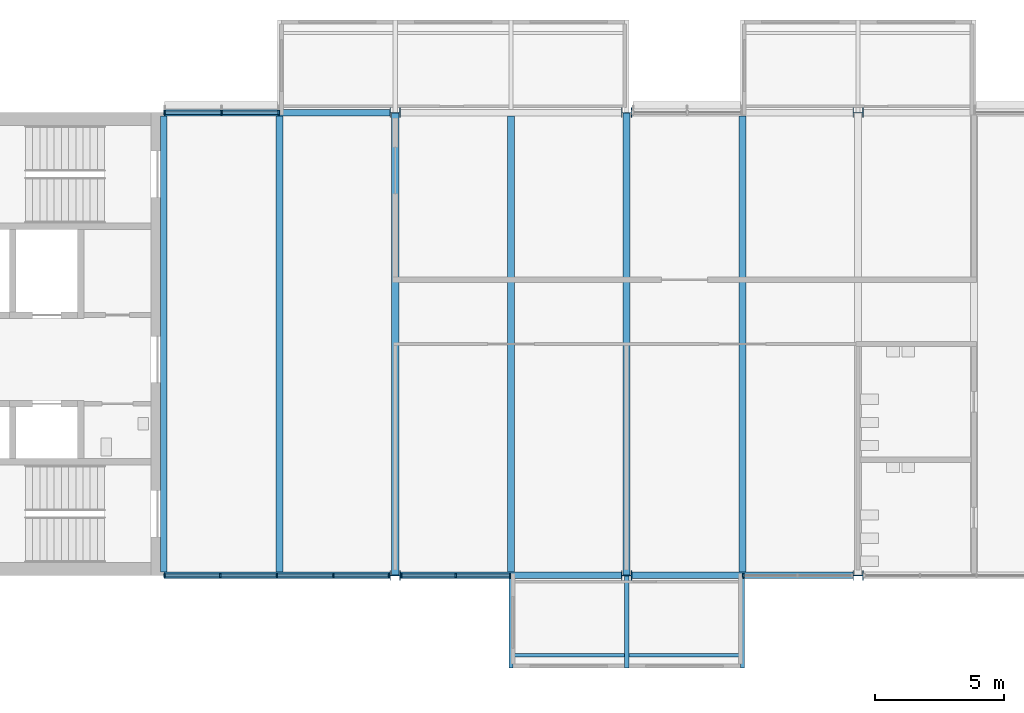
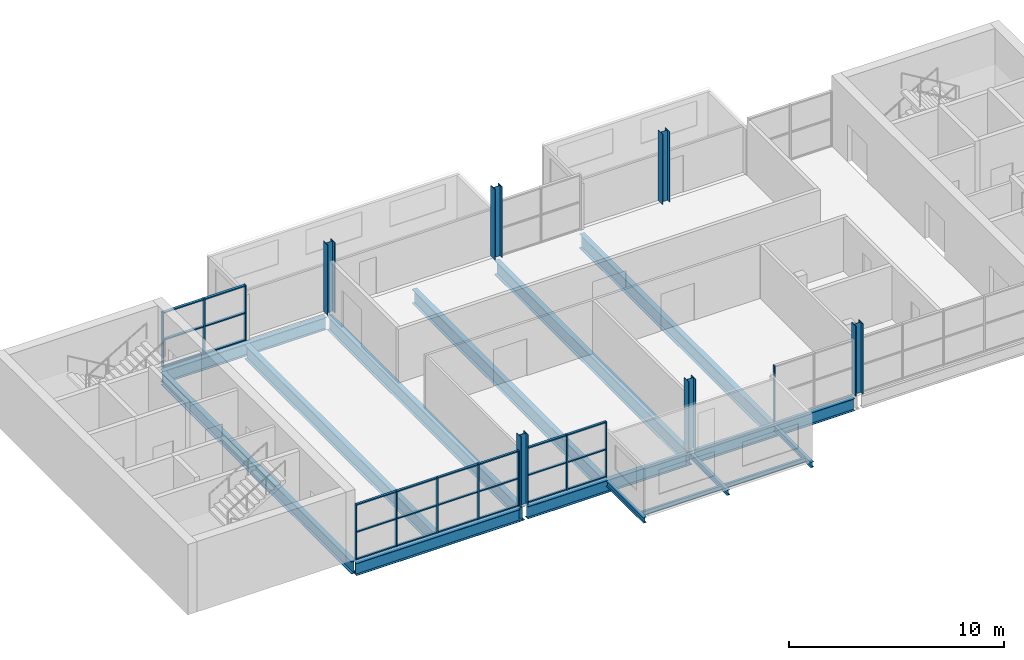
# One storey, part 1 of 10: 36 members, 15 beams, 6 columns, 4 elements without a shape of their own.
"""IFC4 building model written with IfcOpenShell, lengths in metres."""

from ifc_helpers import new_model, si_unit, direction, frame, origin, origin_2d, place, context, subcontext, project, spatial, rectangle, i_section, extrude, material, layer, layer_set, material_profile, profile_set, type_object, element, aggregate, save


model = new_model("IFC4")

# Units and contexts
model_context = context("Model", 3, precision=1e-05, world=origin(), true_north=direction((0.0, 1.0)))
body_context = subcontext(model_context, "Body", "Model", "MODEL_VIEW")
ifc_project = project(units=[si_unit("LENGTHUNIT", "METRE"), si_unit("AREAUNIT", "SQUARE_METRE"), si_unit("VOLUMEUNIT", "CUBIC_METRE"), si_unit("PLANEANGLEUNIT", "RADIAN"), si_unit("MASSUNIT", "GRAM", prefix="KILO")], contexts=[model_context])

# Site, building, storey
site_placement = place(None, origin())
site = spatial("IfcSite", under=ifc_project, at=site_placement, CompositionType="ELEMENT")
building_placement = place(site_placement, origin())
building = spatial("IfcBuilding", under=site, at=building_placement, Name="Corbel Yard City Hall", CompositionType="ELEMENT")
storey_placement = place(building_placement, frame((0.0, 0.0, 47.199951171875)))
storey = spatial("IfcBuildingStorey", under=building, at=storey_placement, Name="L11", CompositionType="ELEMENT", Elevation=47.199951171875)

# Columns
ifc_material_1 = material(Name="Steel Grade 350", Category="steel")
ifc_material_profile_1 = material_profile(ifc_material_1, i_section(OverallWidth=0.39990234375, OverallDepth=0.4140625, WebThickness=0.02490234375, FlangeThickness=0.031982421875, at=origin_2d()), Name="400WC270")
ifc_profile_set_1 = profile_set([ifc_material_profile_1], Name="Steel Grade 350")
column_type = type_object("IfcColumnType", Name="Column 400WC270", PredefinedType="COLUMN", material=ifc_profile_set_1)
for number, where, z_axis, x_axis, name in (
    (1, (18.0, 99.0, 0.0), (0.0, 0.0, 1.0), (0.0, 1.0, 0.0), "Column 400WC270 L/3 L11"),
    (2, (18.0, 117.0, 0.0), (0.0, 0.0, 1.0), (0.0, 1.0, 0.0), "Column 400WC270 N/3 L11"),
    (3, (27.0, 99.0, 0.0), (0.0, 0.0, 1.0), (0.0, 1.0, 0.0), "Column 400WC270 L/4 L11"),
    (4, (27.0, 117.0, 0.0), (0.0, 0.0, 1.0), (0.0, 1.0, 0.0), "Column 400WC270 N/4 L11"),
    (5, (36.0, 99.0, 0.0), (0.0, 0.0, 1.0), (0.0, 1.0, 0.0), "Column 400WC270 L/5 L11"),
    (6, (36.0, 117.0, 0.0), (0.0, 0.0, 1.0), (0.0, 1.0, 0.0), "Column 400WC270 N/5 L11"),
):
    element("IfcColumn", number, at=place(storey_placement, frame(where, z_axis=z_axis, x_axis=x_axis)), inside=storey, type_object=column_type, Name=name, PredefinedType="COLUMN", context=body_context, shape_type="SweptSolid", body=[
        extrude(i_section(OverallWidth=0.39990234375, OverallDepth=0.4140625, WebThickness=0.02490234375, FlangeThickness=0.031982421875, at=origin_2d()), origin(), (0.0, 0.0, 1.0), 4.0),
    ])

# Beams
ifc_material_profile_2 = material_profile(ifc_material_1, i_section(OverallWidth=0.25, OverallDepth=0.699951171875, WebThickness=0.010009765625, FlangeThickness=0.02001953125, at=origin_2d()), Name="700WB130")
ifc_profile_set_2 = profile_set([ifc_material_profile_2], Name="Steel Grade 350")
beam_type_1 = type_object("IfcBeamType", Name="Edge beam 700WB130", PredefinedType="BEAM", material=ifc_profile_set_2)
beam_1_placement = place(storey_placement, frame((9.0, 99.0, -0.5), z_axis=(1.0, 0.0, 0.0), x_axis=(0.0, 1.0, 0.0)))
element("IfcBeam", 7, at=beam_1_placement, inside=storey, type_object=beam_type_1, Name="Edge beam 700WB130 EB9 L11tower", PredefinedType="BEAM", context=body_context, shape_type="SweptSolid", body=[
    extrude(i_section(OverallWidth=0.25, OverallDepth=0.699951171875, WebThickness=0.010009765625, FlangeThickness=0.02001953125, at=origin_2d()), origin(), (0.0, 0.0, 1.0), 8.79296875),
])
for number, where, z_axis, x_axis, name in (
    (8, (18.20703125, 99.0, -0.5), (1.0, 0.0, 0.0), (0.0, 1.0, 0.0), "Edge beam 700WB130 EB9 L11tower"),
    (9, (27.20703125, 99.0, -0.5), (1.0, 0.0, 0.0), (0.0, 1.0, 0.0), "Edge beam 700WB130 EB9 L11tower"),
):
    element("IfcBeam", number, at=place(storey_placement, frame(where, z_axis=z_axis, x_axis=x_axis)), inside=storey, type_object=beam_type_1, Name=name, PredefinedType="BEAM", context=body_context, shape_type="SweptSolid", body=[
        extrude(i_section(OverallWidth=0.25, OverallDepth=0.699951171875, WebThickness=0.010009765625, FlangeThickness=0.02001953125, at=origin_2d()), origin(), (0.0, 0.0, 1.0), 8.5859375),
    ])
beam_2_placement = place(storey_placement, frame((9.0, 117.0, -0.5), z_axis=(1.0, 0.0, 0.0), x_axis=(0.0, 1.0, 0.0)))
element("IfcBeam", 10, at=beam_2_placement, inside=storey, type_object=beam_type_1, Name="Edge beam 700WB130 EB9 L11tower", PredefinedType="BEAM", context=body_context, shape_type="SweptSolid", body=[
    extrude(i_section(OverallWidth=0.25, OverallDepth=0.699951171875, WebThickness=0.010009765625, FlangeThickness=0.02001953125, at=origin_2d()), origin(), (0.0, 0.0, 1.0), 8.79296875),
])
ifc_material_profile_3 = material_profile(ifc_material_1, i_section(OverallWidth=0.27490234375, OverallDepth=0.800048828125, WebThickness=0.010009765625, FlangeThickness=0.02001953125, at=origin_2d()), Name="800WB146")
ifc_profile_set_3 = profile_set([ifc_material_profile_3], Name="Steel Grade 350")
beam_type_2 = type_object("IfcBeamType", Name="Long-span beam 800WB146", PredefinedType="BEAM", material=ifc_profile_set_3)
for number, where, z_axis, x_axis, name in (
    (11, (18.0, 99.012451171875, -0.550048828125), (0.0, 1.0, 0.0), (-1.0, 0.0, 0.0), "Long-span beam 800WB146 SB8 L11tower"),
    (12, (27.0, 99.012451171875, -0.550048828125), (0.0, 1.0, 0.0), (-1.0, 0.0, 0.0), "Long-span beam 800WB146 SB8 L11tower"),
):
    element("IfcBeam", number, at=place(storey_placement, frame(where, z_axis=z_axis, x_axis=x_axis)), inside=storey, type_object=beam_type_2, Name=name, PredefinedType="BEAM", context=body_context, shape_type="SweptSolid", body=[
        extrude(i_section(OverallWidth=0.27490234375, OverallDepth=0.800048828125, WebThickness=0.010009765625, FlangeThickness=0.02001953125, at=origin_2d()), origin(), (0.0, 0.0, 1.0), 17.97509765625),
    ])
ifc_material_profile_4 = material_profile(ifc_material_1, i_section(OverallWidth=0.25, OverallDepth=0.7099609375, WebThickness=0.010009765625, FlangeThickness=0.02490234375, at=origin_2d()), Name="700WB150")
ifc_profile_set_4 = profile_set([ifc_material_profile_4], Name="Steel Grade 350")
beam_type_3 = type_object("IfcBeamType", Name="Long-span edge beam 700WB150", PredefinedType="BEAM", material=ifc_profile_set_4)
beam_3_placement = place(storey_placement, frame((9.0, 99.125, -0.5048828125), z_axis=(0.0, 1.0, 0.0), x_axis=(-1.0, 0.0, 0.0)))
element("IfcBeam", 13, at=beam_3_placement, inside=storey, type_object=beam_type_3, Name="Long-span edge beam 700WB150 EB8 L11tower", PredefinedType="BEAM", context=body_context, shape_type="SweptSolid", body=[
    extrude(i_section(OverallWidth=0.25, OverallDepth=0.7099609375, WebThickness=0.010009765625, FlangeThickness=0.02490234375, at=origin_2d()), origin(), (0.0, 0.0, 1.0), 17.75),
])
ifc_material_profile_5 = material_profile(ifc_material_1, i_section(OverallWidth=0.27490234375, OverallDepth=0.800048828125, WebThickness=0.010009765625, FlangeThickness=0.02001953125, at=origin_2d()), Name="800WB146")
ifc_profile_set_5 = profile_set([ifc_material_profile_5], Name="Steel Grade 350")
beam_type_4 = type_object("IfcBeamType", Name="Long-span secondary beam 800WB146", PredefinedType="JOIST", material=ifc_profile_set_5)
for number, where, z_axis, x_axis, name in (
    (14, (13.5, 99.125, -0.550048828125), (0.0, 1.0, 0.0), (-1.0, 0.0, 0.0), "Long-span secondary beam 800WB146 SB7 L11tower"),
    (15, (22.5, 99.125, -0.550048828125), (0.0, 1.0, 0.0), (-1.0, 0.0, 0.0), "Long-span secondary beam 800WB146 SB7 L11tower"),
    (16, (31.5, 99.125, -0.550048828125), (0.0, 1.0, 0.0), (-1.0, 0.0, 0.0), "Long-span secondary beam 800WB146 SB7 L11tower"),
):
    element("IfcBeam", number, at=place(storey_placement, frame(where, z_axis=z_axis, x_axis=x_axis)), inside=storey, type_object=beam_type_4, Name=name, PredefinedType="JOIST", context=body_context, shape_type="SweptSolid", body=[
        extrude(i_section(OverallWidth=0.27490234375, OverallDepth=0.800048828125, WebThickness=0.010009765625, FlangeThickness=0.02001953125, at=origin_2d()), origin(), (0.0, 0.0, 1.0), 17.75),
    ])

# Curtain wall, members
ifc_material_2 = material(Name="Aluminium extrusion", Category="aluminium")
ifc_layer_1 = layer(ifc_material_2, 0.14990234375)
ifc_layer_set_1 = layer_set([ifc_layer_1], Name="Aluminium extrusion")
curtain_wall_type_1 = type_object("IfcCurtainWallType", Name="CW2", PredefinedType="USERDEFINED", material=ifc_layer_set_1)
curtain_wall_1_placement = place(storey_placement, origin())
curtain_wall_1 = element("IfcCurtainWall", 17, at=curtain_wall_1_placement, inside=storey, type_object=curtain_wall_type_1, Name="Curtain wall CW2 L11", ObjectType="CURTAIN WALL", PredefinedType="USERDEFINED")
ifc_material_profile_6 = material_profile(ifc_material_2, rectangle(XDim=0.14990234375, YDim=0.06494140625, at=origin_2d()), Name="150x65")
ifc_profile_set_6 = profile_set([ifc_material_profile_6], Name="Aluminium extrusion")
member_type_1 = type_object("IfcMemberType", Name="ML2", PredefinedType="MULLION", material=ifc_profile_set_6)
member_1_placement = place(storey_placement, frame((9.032470703125, 99.0, 0.0), z_axis=(0.0, 0.0, 1.0), x_axis=(0.0, 1.0, 0.0)))
member_1 = element("IfcMember", 18, at=member_1_placement, type_object=member_type_1, Name="CW2 mullion 1", PredefinedType="MULLION", context=body_context, shape_type="SweptSolid", body=[
    extrude(rectangle(XDim=0.14990234375, YDim=0.06494140625, at=origin_2d()), origin(), (0.0, 0.0, 1.0), 3.150146484375),
])
member_2_placement = place(storey_placement, frame((11.1982421875, 99.0, 0.0), z_axis=(0.0, 0.0, 1.0), x_axis=(0.0, 1.0, 0.0)))
member_2 = element("IfcMember", 19, at=member_2_placement, type_object=member_type_1, Name="CW2 mullion 2", PredefinedType="MULLION", context=body_context, shape_type="SweptSolid", body=[
    extrude(rectangle(XDim=0.14990234375, YDim=0.06494140625, at=origin_2d()), origin(), (0.0, 0.0, 1.0), 3.150146484375),
])
member_3_placement = place(storey_placement, frame((13.396484375, 99.0, 0.0), z_axis=(0.0, 0.0, 1.0), x_axis=(0.0, 1.0, 0.0)))
member_3 = element("IfcMember", 20, at=member_3_placement, type_object=member_type_1, Name="CW2 mullion 3", PredefinedType="MULLION", context=body_context, shape_type="SweptSolid", body=[
    extrude(rectangle(XDim=0.14990234375, YDim=0.06494140625, at=origin_2d()), origin(), (0.0, 0.0, 1.0), 3.150146484375),
])
member_4_placement = place(storey_placement, frame((15.5947265625, 99.0, 0.0), z_axis=(0.0, 0.0, 1.0), x_axis=(0.0, 1.0, 0.0)))
member_4 = element("IfcMember", 21, at=member_4_placement, type_object=member_type_1, Name="CW2 mullion 4", PredefinedType="MULLION", context=body_context, shape_type="SweptSolid", body=[
    extrude(rectangle(XDim=0.14990234375, YDim=0.06494140625, at=origin_2d()), origin(), (0.0, 0.0, 1.0), 3.150146484375),
])
member_5_placement = place(storey_placement, frame((17.760498046875, 99.0, 0.0), z_axis=(0.0, 0.0, 1.0), x_axis=(0.0, 1.0, 0.0)))
member_5 = element("IfcMember", 22, at=member_5_placement, type_object=member_type_1, Name="CW2 mullion 5", PredefinedType="MULLION", context=body_context, shape_type="SweptSolid", body=[
    extrude(rectangle(XDim=0.14990234375, YDim=0.06494140625, at=origin_2d()), origin(), (0.0, 0.0, 1.0), 3.150146484375),
])

curtain_wall_2_placement = place(storey_placement, origin())
curtain_wall_2 = element("IfcCurtainWall", 23, at=curtain_wall_2_placement, inside=storey, type_object=curtain_wall_type_1, Name="Curtain wall CW2 L11", ObjectType="CURTAIN WALL", PredefinedType="USERDEFINED")
member_6_placement = place(storey_placement, frame((18.239501953125, 99.0, 0.0), z_axis=(0.0, 0.0, 1.0), x_axis=(0.0, 1.0, 0.0)))
member_6 = element("IfcMember", 24, at=member_6_placement, type_object=member_type_1, Name="CW2 mullion 1", PredefinedType="MULLION", context=body_context, shape_type="SweptSolid", body=[
    extrude(rectangle(XDim=0.14990234375, YDim=0.06494140625, at=origin_2d()), origin(), (0.0, 0.0, 1.0), 3.150146484375),
])
member_7_placement = place(storey_placement, frame((20.353515625, 99.0, 0.0), z_axis=(0.0, 0.0, 1.0), x_axis=(0.0, 1.0, 0.0)))
member_7 = element("IfcMember", 25, at=member_7_placement, type_object=member_type_1, Name="CW2 mullion 2", PredefinedType="MULLION", context=body_context, shape_type="SweptSolid", body=[
    extrude(rectangle(XDim=0.14990234375, YDim=0.06494140625, at=origin_2d()), origin(), (0.0, 0.0, 1.0), 3.150146484375),
])
member_8_placement = place(storey_placement, frame((22.467529296875, 99.0, 0.0), z_axis=(0.0, 0.0, 1.0), x_axis=(0.0, 1.0, 0.0)))
member_8 = element("IfcMember", 26, at=member_8_placement, type_object=member_type_1, Name="CW2 mullion 3", PredefinedType="MULLION", context=body_context, shape_type="SweptSolid", body=[
    extrude(rectangle(XDim=0.14990234375, YDim=0.06494140625, at=origin_2d()), origin(), (0.0, 0.0, 1.0), 3.150146484375),
])

# Curtain wall, member
curtain_wall_3_placement = place(storey_placement, origin())
curtain_wall_3 = element("IfcCurtainWall", 27, at=curtain_wall_3_placement, inside=storey, type_object=curtain_wall_type_1, Name="Curtain wall CW2 L11", ObjectType="CURTAIN WALL", PredefinedType="USERDEFINED")
member_9_placement = place(storey_placement, frame((31.532470703125, 99.0, 0.0), z_axis=(0.0, 0.0, 1.0), x_axis=(0.0, 1.0, 0.0)))
member_9 = element("IfcMember", 28, at=member_9_placement, type_object=member_type_1, Name="CW2 mullion 1", PredefinedType="MULLION", context=body_context, shape_type="SweptSolid", body=[
    extrude(rectangle(XDim=0.14990234375, YDim=0.06494140625, at=origin_2d()), origin(), (0.0, 0.0, 1.0), 3.150146484375),
])
aggregate(curtain_wall_3, [member_9])

# Curtain wall, members
ifc_layer_2 = layer(ifc_material_2, 0.179931640625)
ifc_layer_set_2 = layer_set([ifc_layer_2], Name="Aluminium extrusion")
curtain_wall_type_2 = type_object("IfcCurtainWallType", Name="CW6", PredefinedType="USERDEFINED", material=ifc_layer_set_2)
curtain_wall_4_placement = place(storey_placement, origin())
curtain_wall_4 = element("IfcCurtainWall", 29, at=curtain_wall_4_placement, inside=storey, type_object=curtain_wall_type_2, Name="Curtain wall CW6 L11", ObjectType="CURTAIN WALL", PredefinedType="USERDEFINED")
ifc_material_profile_7 = material_profile(ifc_material_2, rectangle(XDim=0.179931640625, YDim=0.06494140625, at=origin_2d()), Name="180x65")
ifc_profile_set_7 = profile_set([ifc_material_profile_7], Name="Aluminium extrusion")
member_type_2 = type_object("IfcMemberType", Name="ML6", PredefinedType="MULLION", material=ifc_profile_set_7)
member_10_placement = place(storey_placement, frame((9.032470703125, 117.0, 0.0), z_axis=(0.0, 0.0, 1.0), x_axis=(0.0, 1.0, 0.0)))
member_10 = element("IfcMember", 30, at=member_10_placement, type_object=member_type_2, Name="CW6 mullion 1", PredefinedType="MULLION", context=body_context, shape_type="SweptSolid", body=[
    extrude(rectangle(XDim=0.179931640625, YDim=0.06494140625, at=origin_2d()), origin(), (0.0, 0.0, 1.0), 3.150146484375),
])
member_11_placement = place(storey_placement, frame((11.25, 117.0, 0.0), z_axis=(0.0, 0.0, 1.0), x_axis=(0.0, 1.0, 0.0)))
member_11 = element("IfcMember", 31, at=member_11_placement, type_object=member_type_2, Name="CW6 mullion 2", PredefinedType="MULLION", context=body_context, shape_type="SweptSolid", body=[
    extrude(rectangle(XDim=0.179931640625, YDim=0.06494140625, at=origin_2d()), origin(), (0.0, 0.0, 1.0), 3.150146484375),
])
member_12_placement = place(storey_placement, frame((13.467529296875, 117.0, 0.0), z_axis=(0.0, 0.0, 1.0), x_axis=(0.0, 1.0, 0.0)))
member_12 = element("IfcMember", 32, at=member_12_placement, type_object=member_type_2, Name="CW6 mullion 3", PredefinedType="MULLION", context=body_context, shape_type="SweptSolid", body=[
    extrude(rectangle(XDim=0.179931640625, YDim=0.06494140625, at=origin_2d()), origin(), (0.0, 0.0, 1.0), 3.150146484375),
])

# Beams
ifc_material_3 = material(Name="Steel Grade 300 (300 MPa yield)", Category="steel")
ifc_material_profile_8 = material_profile(ifc_material_3, i_section(OverallWidth=0.166015625, OverallDepth=0.306884765625, WebThickness=0.006591796875, FlangeThickness=0.01171875, at=origin_2d()), Name="310UB46.2")
ifc_profile_set_8 = profile_set([ifc_material_profile_8], Name="Steel Grade 300 (300 MPa yield)")
beam_type_5 = type_object("IfcBeamType", Name="Pod stub beam 310UB46.2", PredefinedType="BEAM", material=ifc_profile_set_8)
beam_4_placement = place(storey_placement, frame((22.5, 95.39990234375, -0.303466796875), z_axis=(0.0, 1.0, 0.0), x_axis=(-1.0, 0.0, 0.0)))
element("IfcBeam", 33, at=beam_4_placement, inside=storey, type_object=beam_type_5, Name="Pod stub 310UB46.2 CB1 L11", PredefinedType="BEAM", context=body_context, shape_type="SweptSolid", body=[
    extrude(i_section(OverallWidth=0.166015625, OverallDepth=0.306884765625, WebThickness=0.006591796875, FlangeThickness=0.01171875, at=origin_2d()), origin(), (0.0, 0.0, 1.0), 3.47509765625),
])
beam_5_placement = place(storey_placement, frame((27.0, 95.39990234375, -0.303466796875), z_axis=(0.0, 1.0, 0.0), x_axis=(-1.0, 0.0, 0.0)))
element("IfcBeam", 34, at=beam_5_placement, inside=storey, type_object=beam_type_5, Name="Pod stub 310UB46.2 CB1 L11", PredefinedType="BEAM", context=body_context, shape_type="SweptSolid", body=[
    extrude(i_section(OverallWidth=0.166015625, OverallDepth=0.306884765625, WebThickness=0.006591796875, FlangeThickness=0.01171875, at=origin_2d()), origin(), (0.0, 0.0, 1.0), 3.587646484375),
])
beam_6_placement = place(storey_placement, frame((31.5, 95.39990234375, -0.303466796875), z_axis=(0.0, 1.0, 0.0), x_axis=(-1.0, 0.0, 0.0)))
element("IfcBeam", 35, at=beam_6_placement, inside=storey, type_object=beam_type_5, Name="Pod stub 310UB46.2 CB1 L11", PredefinedType="BEAM", context=body_context, shape_type="SweptSolid", body=[
    extrude(i_section(OverallWidth=0.166015625, OverallDepth=0.306884765625, WebThickness=0.006591796875, FlangeThickness=0.01171875, at=origin_2d()), origin(), (0.0, 0.0, 1.0), 3.47509765625),
])
ifc_material_profile_9 = material_profile(ifc_material_3, i_section(OverallWidth=0.1240234375, OverallDepth=0.248046875, WebThickness=0.0048828125, FlangeThickness=0.008056640625, at=origin_2d()), Name="250UB25.7")
ifc_profile_set_9 = profile_set([ifc_material_profile_9], Name="Steel Grade 300 (300 MPa yield)")
beam_type_6 = type_object("IfcBeamType", Name="Pod tip beam", PredefinedType="BEAM", material=ifc_profile_set_9)
for number, where, z_axis, x_axis, name in (
    (36, (22.5830078125, 95.89990234375, -0.27392578125), (1.0, 0.0, 0.0), (0.0, 1.0, 0.0), "Pod tip beam"),
    (37, (27.0830078125, 95.89990234375, -0.27392578125), (1.0, 0.0, 0.0), (0.0, 1.0, 0.0), "Pod tip beam"),
):
    element("IfcBeam", number, at=place(storey_placement, frame(where, z_axis=z_axis, x_axis=x_axis)), inside=storey, type_object=beam_type_6, Name=name, PredefinedType="BEAM", context=body_context, shape_type="SweptSolid", body=[
        extrude(i_section(OverallWidth=0.1240234375, OverallDepth=0.248046875, WebThickness=0.0048828125, FlangeThickness=0.008056640625, at=origin_2d()), origin(), (0.0, 0.0, 1.0), 4.333984375),
    ])

# Member
ifc_material_profile_10 = material_profile(ifc_material_2, rectangle(XDim=0.1201171875, YDim=0.06494140625, at=origin_2d()), Name="120x65")
ifc_profile_set_10 = profile_set([ifc_material_profile_10], Name="Aluminium extrusion")
member_type_3 = type_object("IfcMemberType", Name="TR2", PredefinedType="USERDEFINED", material=ifc_profile_set_10)
member_13_placement = place(storey_placement, frame((9.06494140625, 99.0, 0.032470703125), z_axis=(1.0, 0.0, 0.0), x_axis=(0.0, 1.0, 0.0)))
member_13 = element("IfcMember", 38, at=member_13_placement, type_object=member_type_3, Name="CW2 transom 1.1", ObjectType="TRANSOM", PredefinedType="USERDEFINED", context=body_context, shape_type="SweptSolid", body=[
    extrude(rectangle(XDim=0.1201171875, YDim=0.06494140625, at=origin_2d()), origin(), (0.0, 0.0, 1.0), 2.100830078125),
])

member_14_placement = place(storey_placement, frame((9.06494140625, 99.0, 1.574951171875), z_axis=(1.0, 0.0, 0.0), x_axis=(0.0, 1.0, 0.0)))
member_14 = element("IfcMember", 39, at=member_14_placement, type_object=member_type_3, Name="CW2 transom 1.2", ObjectType="TRANSOM", PredefinedType="USERDEFINED", context=body_context, shape_type="SweptSolid", body=[
    extrude(rectangle(XDim=0.1201171875, YDim=0.06494140625, at=origin_2d()), origin(), (0.0, 0.0, 1.0), 2.100830078125),
])

member_15_placement = place(storey_placement, frame((9.06494140625, 99.0, 3.117431640625), z_axis=(1.0, 0.0, 0.0), x_axis=(0.0, 1.0, 0.0)))
member_15 = element("IfcMember", 40, at=member_15_placement, type_object=member_type_3, Name="CW2 transom 1.3", ObjectType="TRANSOM", PredefinedType="USERDEFINED", context=body_context, shape_type="SweptSolid", body=[
    extrude(rectangle(XDim=0.1201171875, YDim=0.06494140625, at=origin_2d()), origin(), (0.0, 0.0, 1.0), 2.100830078125),
])

member_16_placement = place(storey_placement, frame((11.230712890625, 99.0, 0.032470703125), z_axis=(1.0, 0.0, 0.0), x_axis=(0.0, 1.0, 0.0)))
member_16 = element("IfcMember", 41, at=member_16_placement, type_object=member_type_3, Name="CW2 transom 2.1", ObjectType="TRANSOM", PredefinedType="USERDEFINED", context=body_context, shape_type="SweptSolid", body=[
    extrude(rectangle(XDim=0.1201171875, YDim=0.06494140625, at=origin_2d()), origin(), (0.0, 0.0, 1.0), 2.13330078125),
])

member_17_placement = place(storey_placement, frame((11.230712890625, 99.0, 1.574951171875), z_axis=(1.0, 0.0, 0.0), x_axis=(0.0, 1.0, 0.0)))
member_17 = element("IfcMember", 42, at=member_17_placement, type_object=member_type_3, Name="CW2 transom 2.2", ObjectType="TRANSOM", PredefinedType="USERDEFINED", context=body_context, shape_type="SweptSolid", body=[
    extrude(rectangle(XDim=0.1201171875, YDim=0.06494140625, at=origin_2d()), origin(), (0.0, 0.0, 1.0), 2.13330078125),
])

member_18_placement = place(storey_placement, frame((11.230712890625, 99.0, 3.117431640625), z_axis=(1.0, 0.0, 0.0), x_axis=(0.0, 1.0, 0.0)))
member_18 = element("IfcMember", 43, at=member_18_placement, type_object=member_type_3, Name="CW2 transom 2.3", ObjectType="TRANSOM", PredefinedType="USERDEFINED", context=body_context, shape_type="SweptSolid", body=[
    extrude(rectangle(XDim=0.1201171875, YDim=0.06494140625, at=origin_2d()), origin(), (0.0, 0.0, 1.0), 2.13330078125),
])

member_19_placement = place(storey_placement, frame((13.428955078125, 99.0, 0.032470703125), z_axis=(1.0, 0.0, 0.0), x_axis=(0.0, 1.0, 0.0)))
member_19 = element("IfcMember", 44, at=member_19_placement, type_object=member_type_3, Name="CW2 transom 3.1", ObjectType="TRANSOM", PredefinedType="USERDEFINED", context=body_context, shape_type="SweptSolid", body=[
    extrude(rectangle(XDim=0.1201171875, YDim=0.06494140625, at=origin_2d()), origin(), (0.0, 0.0, 1.0), 2.13330078125),
])

member_20_placement = place(storey_placement, frame((13.428955078125, 99.0, 1.574951171875), z_axis=(1.0, 0.0, 0.0), x_axis=(0.0, 1.0, 0.0)))
member_20 = element("IfcMember", 45, at=member_20_placement, type_object=member_type_3, Name="CW2 transom 3.2", ObjectType="TRANSOM", PredefinedType="USERDEFINED", context=body_context, shape_type="SweptSolid", body=[
    extrude(rectangle(XDim=0.1201171875, YDim=0.06494140625, at=origin_2d()), origin(), (0.0, 0.0, 1.0), 2.13330078125),
])

member_21_placement = place(storey_placement, frame((13.428955078125, 99.0, 3.117431640625), z_axis=(1.0, 0.0, 0.0), x_axis=(0.0, 1.0, 0.0)))
member_21 = element("IfcMember", 46, at=member_21_placement, type_object=member_type_3, Name="CW2 transom 3.3", ObjectType="TRANSOM", PredefinedType="USERDEFINED", context=body_context, shape_type="SweptSolid", body=[
    extrude(rectangle(XDim=0.1201171875, YDim=0.06494140625, at=origin_2d()), origin(), (0.0, 0.0, 1.0), 2.13330078125),
])

member_22_placement = place(storey_placement, frame((15.627197265625, 99.0, 0.032470703125), z_axis=(1.0, 0.0, 0.0), x_axis=(0.0, 1.0, 0.0)))
member_22 = element("IfcMember", 47, at=member_22_placement, type_object=member_type_3, Name="CW2 transom 4.1", ObjectType="TRANSOM", PredefinedType="USERDEFINED", context=body_context, shape_type="SweptSolid", body=[
    extrude(rectangle(XDim=0.1201171875, YDim=0.06494140625, at=origin_2d()), origin(), (0.0, 0.0, 1.0), 2.100830078125),
])

member_23_placement = place(storey_placement, frame((15.627197265625, 99.0, 1.574951171875), z_axis=(1.0, 0.0, 0.0), x_axis=(0.0, 1.0, 0.0)))
member_23 = element("IfcMember", 48, at=member_23_placement, type_object=member_type_3, Name="CW2 transom 4.2", ObjectType="TRANSOM", PredefinedType="USERDEFINED", context=body_context, shape_type="SweptSolid", body=[
    extrude(rectangle(XDim=0.1201171875, YDim=0.06494140625, at=origin_2d()), origin(), (0.0, 0.0, 1.0), 2.100830078125),
])

member_24_placement = place(storey_placement, frame((15.627197265625, 99.0, 3.117431640625), z_axis=(1.0, 0.0, 0.0), x_axis=(0.0, 1.0, 0.0)))
member_24 = element("IfcMember", 49, at=member_24_placement, type_object=member_type_3, Name="CW2 transom 4.3", ObjectType="TRANSOM", PredefinedType="USERDEFINED", context=body_context, shape_type="SweptSolid", body=[
    extrude(rectangle(XDim=0.1201171875, YDim=0.06494140625, at=origin_2d()), origin(), (0.0, 0.0, 1.0), 2.100830078125),
])

aggregate(curtain_wall_1, [member_1, member_2, member_3, member_4, member_5, member_13, member_14, member_15, member_16, member_17, member_18, member_19, member_20, member_21, member_22, member_23, member_24])

member_25_placement = place(storey_placement, frame((18.27197265625, 99.0, 0.032470703125), z_axis=(1.0, 0.0, 0.0), x_axis=(0.0, 1.0, 0.0)))
member_25 = element("IfcMember", 50, at=member_25_placement, type_object=member_type_3, Name="CW2 transom 1.1", ObjectType="TRANSOM", PredefinedType="USERDEFINED", context=body_context, shape_type="SweptSolid", body=[
    extrude(rectangle(XDim=0.1201171875, YDim=0.06494140625, at=origin_2d()), origin(), (0.0, 0.0, 1.0), 2.049072265625),
])

member_26_placement = place(storey_placement, frame((18.27197265625, 99.0, 1.574951171875), z_axis=(1.0, 0.0, 0.0), x_axis=(0.0, 1.0, 0.0)))
member_26 = element("IfcMember", 51, at=member_26_placement, type_object=member_type_3, Name="CW2 transom 1.2", ObjectType="TRANSOM", PredefinedType="USERDEFINED", context=body_context, shape_type="SweptSolid", body=[
    extrude(rectangle(XDim=0.1201171875, YDim=0.06494140625, at=origin_2d()), origin(), (0.0, 0.0, 1.0), 2.049072265625),
])

member_27_placement = place(storey_placement, frame((18.27197265625, 99.0, 3.117431640625), z_axis=(1.0, 0.0, 0.0), x_axis=(0.0, 1.0, 0.0)))
member_27 = element("IfcMember", 52, at=member_27_placement, type_object=member_type_3, Name="CW2 transom 1.3", ObjectType="TRANSOM", PredefinedType="USERDEFINED", context=body_context, shape_type="SweptSolid", body=[
    extrude(rectangle(XDim=0.1201171875, YDim=0.06494140625, at=origin_2d()), origin(), (0.0, 0.0, 1.0), 2.049072265625),
])

member_28_placement = place(storey_placement, frame((20.385986328125, 99.0, 0.032470703125), z_axis=(1.0, 0.0, 0.0), x_axis=(0.0, 1.0, 0.0)))
member_28 = element("IfcMember", 53, at=member_28_placement, type_object=member_type_3, Name="CW2 transom 2.1", ObjectType="TRANSOM", PredefinedType="USERDEFINED", context=body_context, shape_type="SweptSolid", body=[
    extrude(rectangle(XDim=0.1201171875, YDim=0.06494140625, at=origin_2d()), origin(), (0.0, 0.0, 1.0), 2.049072265625),
])

member_29_placement = place(storey_placement, frame((20.385986328125, 99.0, 1.574951171875), z_axis=(1.0, 0.0, 0.0), x_axis=(0.0, 1.0, 0.0)))
member_29 = element("IfcMember", 54, at=member_29_placement, type_object=member_type_3, Name="CW2 transom 2.2", ObjectType="TRANSOM", PredefinedType="USERDEFINED", context=body_context, shape_type="SweptSolid", body=[
    extrude(rectangle(XDim=0.1201171875, YDim=0.06494140625, at=origin_2d()), origin(), (0.0, 0.0, 1.0), 2.049072265625),
])

member_30_placement = place(storey_placement, frame((20.385986328125, 99.0, 3.117431640625), z_axis=(1.0, 0.0, 0.0), x_axis=(0.0, 1.0, 0.0)))
member_30 = element("IfcMember", 55, at=member_30_placement, type_object=member_type_3, Name="CW2 transom 2.3", ObjectType="TRANSOM", PredefinedType="USERDEFINED", context=body_context, shape_type="SweptSolid", body=[
    extrude(rectangle(XDim=0.1201171875, YDim=0.06494140625, at=origin_2d()), origin(), (0.0, 0.0, 1.0), 2.049072265625),
])

aggregate(curtain_wall_2, [member_6, member_7, member_8, member_25, member_26, member_27, member_28, member_29, member_30])

ifc_material_profile_11 = material_profile(ifc_material_2, rectangle(XDim=0.139892578125, YDim=0.06494140625, at=origin_2d()), Name="140x65")
ifc_profile_set_11 = profile_set([ifc_material_profile_11], Name="Aluminium extrusion")
member_type_4 = type_object("IfcMemberType", Name="TR6", PredefinedType="USERDEFINED", material=ifc_profile_set_11)
member_31_placement = place(storey_placement, frame((9.06494140625, 117.0, 0.032470703125), z_axis=(1.0, 0.0, 0.0), x_axis=(0.0, 1.0, 0.0)))
member_31 = element("IfcMember", 56, at=member_31_placement, type_object=member_type_4, Name="CW6 transom 1.1", ObjectType="TRANSOM", PredefinedType="USERDEFINED", context=body_context, shape_type="SweptSolid", body=[
    extrude(rectangle(XDim=0.139892578125, YDim=0.06494140625, at=origin_2d()), origin(), (0.0, 0.0, 1.0), 2.152587890625),
])

member_32_placement = place(storey_placement, frame((9.06494140625, 117.0, 1.574951171875), z_axis=(1.0, 0.0, 0.0), x_axis=(0.0, 1.0, 0.0)))
member_32 = element("IfcMember", 57, at=member_32_placement, type_object=member_type_4, Name="CW6 transom 1.2", ObjectType="TRANSOM", PredefinedType="USERDEFINED", context=body_context, shape_type="SweptSolid", body=[
    extrude(rectangle(XDim=0.139892578125, YDim=0.06494140625, at=origin_2d()), origin(), (0.0, 0.0, 1.0), 2.152587890625),
])

member_33_placement = place(storey_placement, frame((9.06494140625, 117.0, 3.117431640625), z_axis=(1.0, 0.0, 0.0), x_axis=(0.0, 1.0, 0.0)))
member_33 = element("IfcMember", 58, at=member_33_placement, type_object=member_type_4, Name="CW6 transom 1.3", ObjectType="TRANSOM", PredefinedType="USERDEFINED", context=body_context, shape_type="SweptSolid", body=[
    extrude(rectangle(XDim=0.139892578125, YDim=0.06494140625, at=origin_2d()), origin(), (0.0, 0.0, 1.0), 2.152587890625),
])

member_34_placement = place(storey_placement, frame((11.282470703125, 117.0, 0.032470703125), z_axis=(1.0, 0.0, 0.0), x_axis=(0.0, 1.0, 0.0)))
member_34 = element("IfcMember", 59, at=member_34_placement, type_object=member_type_4, Name="CW6 transom 2.1", ObjectType="TRANSOM", PredefinedType="USERDEFINED", context=body_context, shape_type="SweptSolid", body=[
    extrude(rectangle(XDim=0.139892578125, YDim=0.06494140625, at=origin_2d()), origin(), (0.0, 0.0, 1.0), 2.152587890625),
])

member_35_placement = place(storey_placement, frame((11.282470703125, 117.0, 1.574951171875), z_axis=(1.0, 0.0, 0.0), x_axis=(0.0, 1.0, 0.0)))
member_35 = element("IfcMember", 60, at=member_35_placement, type_object=member_type_4, Name="CW6 transom 2.2", ObjectType="TRANSOM", PredefinedType="USERDEFINED", context=body_context, shape_type="SweptSolid", body=[
    extrude(rectangle(XDim=0.139892578125, YDim=0.06494140625, at=origin_2d()), origin(), (0.0, 0.0, 1.0), 2.152587890625),
])

member_36_placement = place(storey_placement, frame((11.282470703125, 117.0, 3.117431640625), z_axis=(1.0, 0.0, 0.0), x_axis=(0.0, 1.0, 0.0)))
member_36 = element("IfcMember", 61, at=member_36_placement, type_object=member_type_4, Name="CW6 transom 2.3", ObjectType="TRANSOM", PredefinedType="USERDEFINED", context=body_context, shape_type="SweptSolid", body=[
    extrude(rectangle(XDim=0.139892578125, YDim=0.06494140625, at=origin_2d()), origin(), (0.0, 0.0, 1.0), 2.152587890625),
])

aggregate(curtain_wall_4, [member_10, member_11, member_12, member_31, member_32, member_33, member_34, member_35, member_36])

save(model, "model.ifc")
